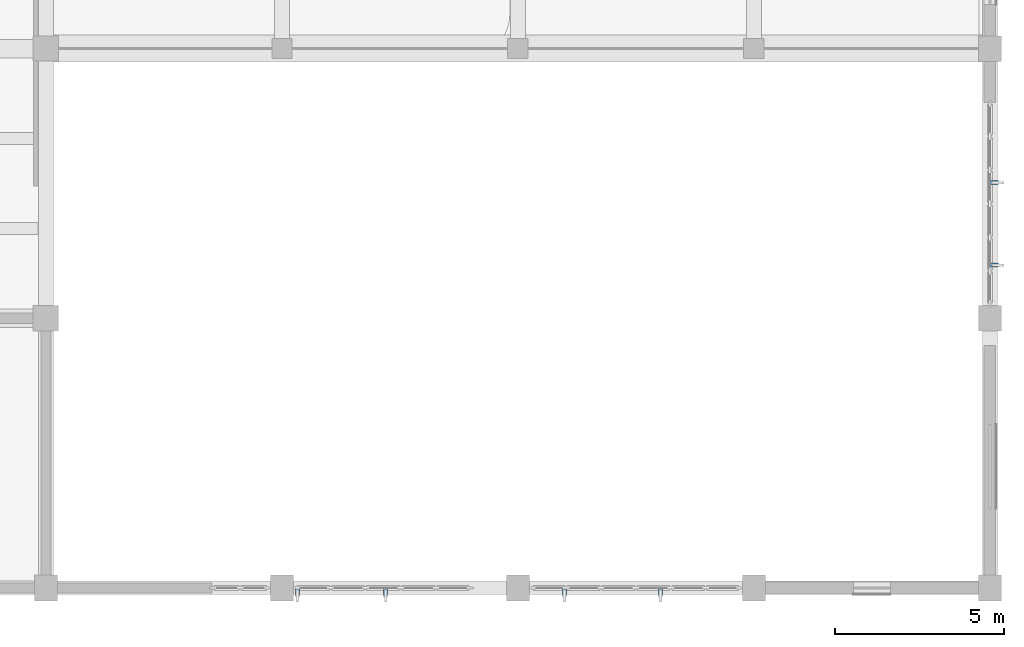
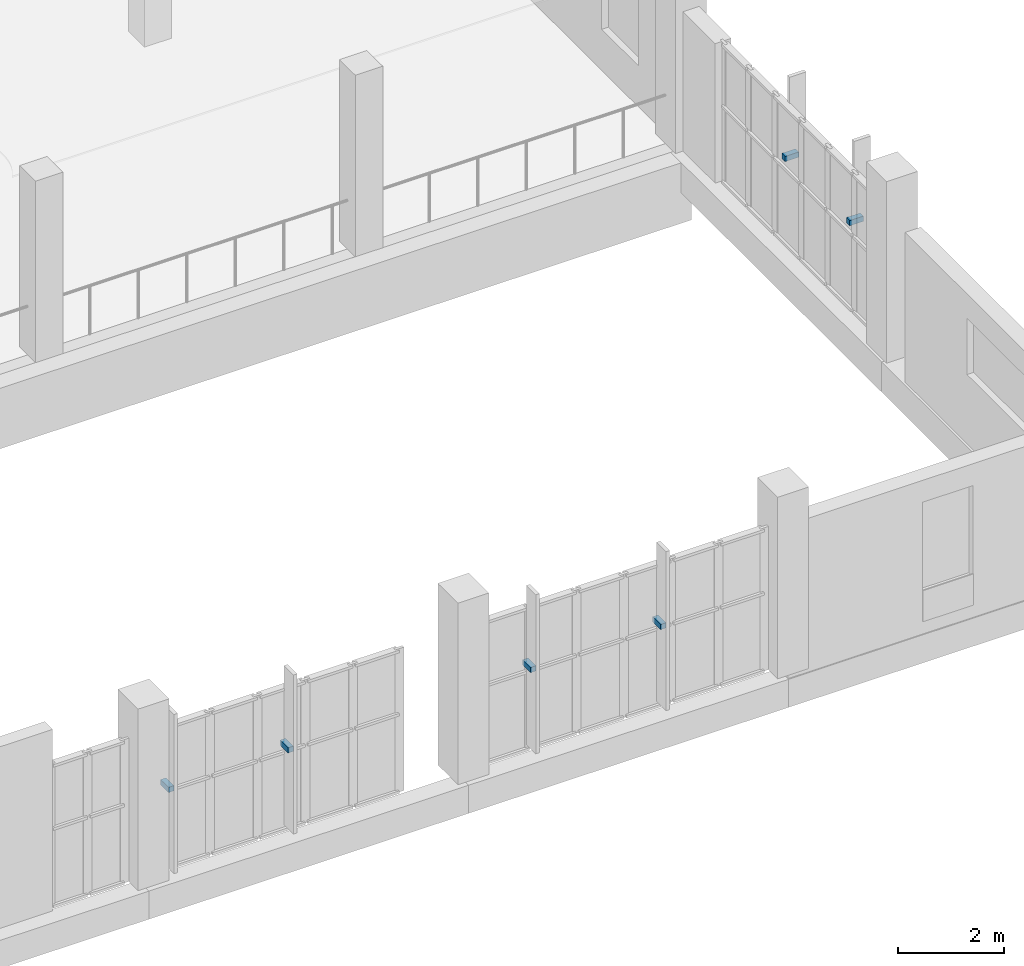
# One storey, part 74 of 85: 6 discrete accessories.
"""IFC4 building model written with IfcOpenShell, lengths in metres."""

from ifc_helpers import new_model, si_unit, direction, frame, origin, origin_2d, place, context, subcontext, project, spatial, rectangle, extrude, material, type_object, element, save


model = new_model("IFC4")

# Units and contexts
model_context = context("Model", 3, precision=1e-05, world=origin(), true_north=direction((0.0, 1.0)))
body_context = subcontext(model_context, "Body", "Model", "MODEL_VIEW")
ifc_project = project(units=[si_unit("LENGTHUNIT", "METRE"), si_unit("AREAUNIT", "SQUARE_METRE"), si_unit("VOLUMEUNIT", "CUBIC_METRE"), si_unit("PLANEANGLEUNIT", "RADIAN"), si_unit("MASSUNIT", "GRAM", prefix="KILO")], contexts=[model_context])

# Site, building, storey
site_placement = place(None, origin())
site = spatial("IfcSite", under=ifc_project, at=site_placement, CompositionType="ELEMENT")
building_placement = place(site_placement, origin())
building = spatial("IfcBuilding", under=site, at=building_placement, Name="Solvane Community Centre", CompositionType="ELEMENT")
storey_placement = place(building_placement, frame((0.0, 0.0, 5.39990234375)))
storey = spatial("IfcBuildingStorey", under=building, at=storey_placement, Name="L01", CompositionType="ELEMENT", Elevation=5.39990234375)

# Discrete accessories
ifc_material = material(Name="Steel ASTM A572 Grade 50", Category="steel")
discrete_accessory_type = type_object("IfcDiscreteAccessoryType", Name="Fin Mounting Bracket 120x120", PredefinedType="BRACKET", material=ifc_material)
for number, where, z_axis, x_axis, name in (
    (1, (158.233154296875, 5.89990234375, 1.929931640625), (0.0, 0.0, 1.0), (-1.0, 0.0, 0.0), "Fin Bracket 31"),
    (2, (155.38232421875, 5.89990234375, 1.929931640625), (0.0, 0.0, 1.0), (-1.0, 0.0, 0.0), "Fin Bracket 32"),
    (3, (150.076904296875, 5.89990234375, 1.929931640625), (0.0, 0.0, 1.0), (-1.0, 0.0, 0.0), "Fin Bracket 33"),
    (4, (147.461669921875, 5.89990234375, 1.929931640625), (0.0, 0.0, 1.0), (-1.0, 0.0, 0.0), "Fin Bracket 34"),
    (5, (168.10009765625, 18.02392578125, 1.929931640625), (0.0, 0.0, 1.0), (0.0, -1.0, 0.0), "Fin Bracket 67"),
    (6, (168.10009765625, 15.575927734375, 1.929931640625), (0.0, 0.0, 1.0), (0.0, -1.0, 0.0), "Fin Bracket 68"),
):
    element("IfcDiscreteAccessory", number, at=place(storey_placement, frame(where, z_axis=z_axis, x_axis=x_axis)), inside=storey, type_object=discrete_accessory_type, Name=name, PredefinedType="BRACKET", context=body_context, shape_type="SweptSolid", body=[
        extrude(rectangle(XDim=0.1201171875, YDim=0.300048828125, at=origin_2d()), origin(), (0.0, 0.0, 1.0), 0.1201171875),
    ])

save(model, "model.ifc")
